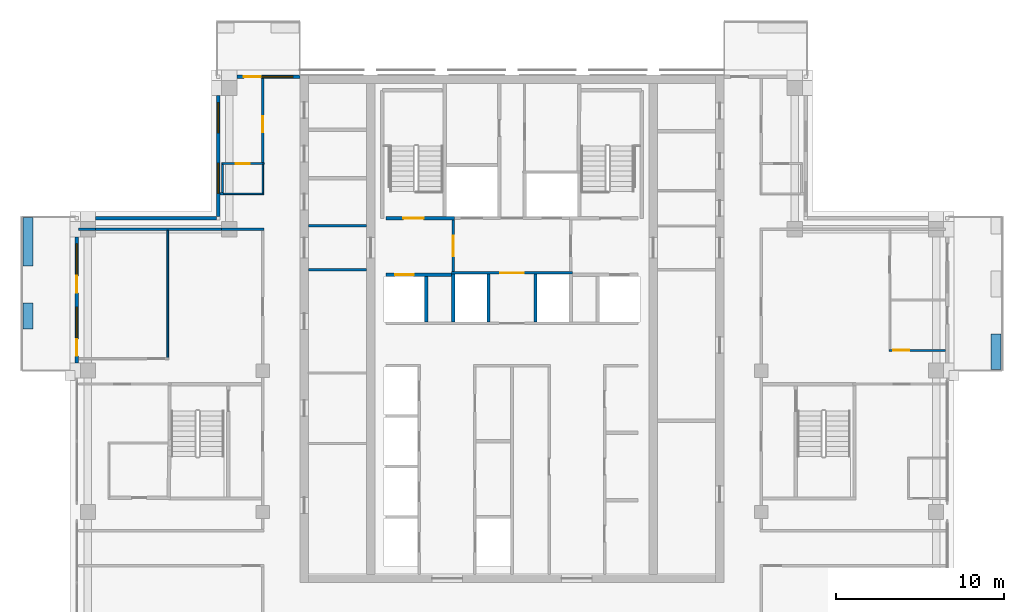
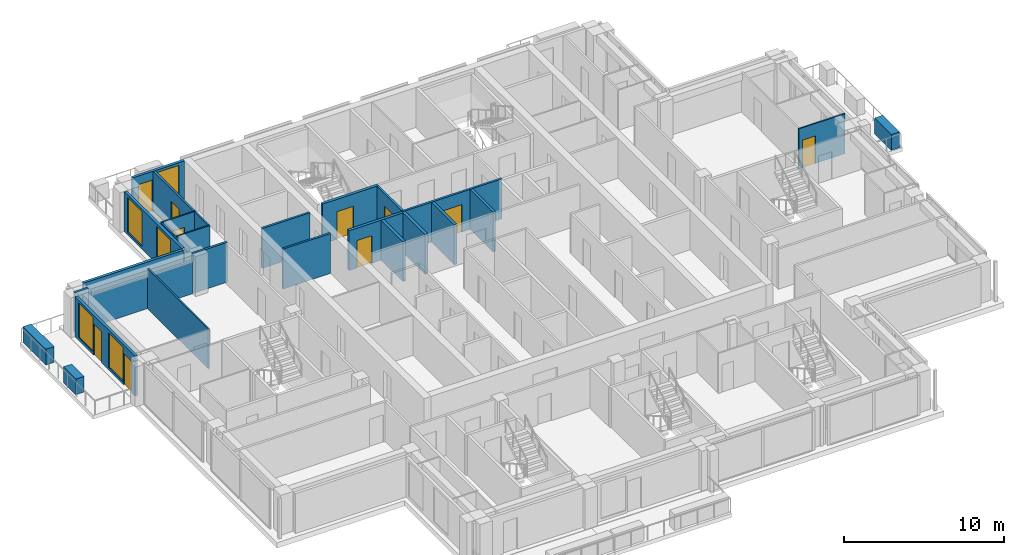
# One storey, part 10 of 15: 28 walls, 10 doors, 5 windows, 15 openings.
"""IFC4 building model written with IfcOpenShell, lengths in metres."""

from ifc_helpers import new_model, si_unit, direction, frame, frame_2d, origin, place, context, subcontext, project, spatial, rectangle, extrude, material, layer, layer_set, type_object, element, fill, save


model = new_model("IFC4")

# Units and contexts
model_context = context("Model", 3, precision=1e-05, world=origin(), true_north=direction((0.0, 1.0)))
body_context = subcontext(model_context, "Body", "Model", "MODEL_VIEW")
ifc_project = project(units=[si_unit("LENGTHUNIT", "METRE"), si_unit("AREAUNIT", "SQUARE_METRE"), si_unit("VOLUMEUNIT", "CUBIC_METRE"), si_unit("PLANEANGLEUNIT", "RADIAN"), si_unit("MASSUNIT", "GRAM", prefix="KILO")], contexts=[model_context])

# Site, building, storey
site_placement = place(None, origin())
site = spatial("IfcSite", under=ifc_project, at=site_placement, CompositionType="ELEMENT")
building_placement = place(site_placement, origin())
building = spatial("IfcBuilding", under=site, at=building_placement, Name="Vermilion Ogive Tower", CompositionType="ELEMENT")
storey_placement = place(building_placement, frame((0.0, 0.0, 237.25)))
storey = spatial("IfcBuildingStorey", under=building, at=storey_placement, Name="L62", CompositionType="ELEMENT", Elevation=237.25)

# Wall
ifc_material_1 = material(Name="Gypsum board partition on steel studs", Category="steel")
ifc_layer_1 = layer(ifc_material_1, 0.10009765625)
ifc_layer_set_1 = layer_set([ifc_layer_1], Name="Partition 100 bath")
wall_type_1 = type_object("IfcWallType", Name="Partition 100 bath", PredefinedType="PARTITIONING", material=ifc_layer_set_1)
wall_1_placement = place(storey_placement, frame((-17.25, 14.699951171875, 0.0), z_axis=(0.0, 0.0, 1.0), x_axis=(1.0, 0.0, 0.0)))
element("IfcWall", 1, at=wall_1_placement, inside=storey, type_object=wall_type_1, Name="L62-W-W035", PredefinedType="PARTITIONING", context=body_context, shape_type="SweptSolid", body=[
    extrude(rectangle(XDim=2.5, YDim=0.10009765625, at=frame_2d((1.25, 0.0))), origin(), (0.0, 0.0, 1.0), 3.050048828125),
])

# Wall, opening, door
wall_2_placement = place(storey_placement, frame((-17.25, 16.5, 0.0), z_axis=(0.0, 0.0, 1.0), x_axis=(1.0, 0.0, 0.0)))
wall_2 = element("IfcWall", 2, at=wall_2_placement, inside=storey, type_object=wall_type_1, Name="L62-W-W038", PredefinedType="PARTITIONING", context=body_context, shape_type="SweptSolid", body=[
    extrude(rectangle(XDim=2.52490234375, YDim=0.10009765625, at=frame_2d((1.262451171875, 0.0))), origin(), (0.0, 0.0, 1.0), 3.050048828125),
])
opening_1_placement = place(wall_2_placement, frame((0.824951171875, 0.0, 0.0)))
opening_1 = element("IfcOpeningElement", 3, at=opening_1_placement, cuts=wall_2, Name="Opening D5G2009", PredefinedType="OPENING", context=body_context, shape_type="SweptSolid", body=[
    extrude(rectangle(XDim=0.85009765625, YDim=2.10009765625, at=frame_2d((0.425048828125, 1.050048828125))), frame((0.0, 0.06005859375, 0.0), z_axis=(0.0, -1.0, 0.0), x_axis=(1.0, 0.0, 0.0)), (0.0, 0.0, 1.0), 0.1201171875),
])
ifc_material_2 = material(Name="Timber door leaf", Category="wood")
door_type_1 = type_object("IfcDoorType", Name="Bath door 850 x 2100 FD30", OperationType="SINGLE_SWING_LEFT", PredefinedType="DOOR", material=ifc_material_2)
door_1_placement = place(opening_1_placement, origin())
door_1 = element("IfcDoor", 4, at=door_1_placement, inside=storey, type_object=door_type_1, Name="L62-D-D009", OperationType="SINGLE_SWING_RIGHT", OverallHeight=2.10009765625, OverallWidth=0.85009765625, PredefinedType="DOOR", context=body_context, shape_type="SweptSolid", body=[
    extrude(rectangle(XDim=0.85009765625, YDim=2.10009765625, at=frame_2d((0.425048828125, 1.050048828125))), frame((0.0, 0.02490234375, 0.0), z_axis=(0.0, -1.0, 0.0), x_axis=(1.0, 0.0, 0.0)), (0.0, 0.0, 1.0), 0.050048828125),
])
fill(opening_1, door_1)

# Walls
wall_3_placement = place(storey_placement, frame((-17.199951171875, 14.77490234375, 0.0), z_axis=(0.0, 0.0, 1.0), x_axis=(0.0, 1.0, 0.0)))
element("IfcWall", 5, at=wall_3_placement, inside=storey, type_object=wall_type_1, Name="L62-W-W044", PredefinedType="PARTITIONING", context=body_context, shape_type="SweptSolid", body=[
    extrude(rectangle(XDim=1.675048828125, YDim=0.10009765625, at=frame_2d((0.83740234375, 0.0))), origin(), (0.0, 0.0, 1.0), 3.050048828125),
])
wall_4_placement = place(storey_placement, frame((-14.800048828125, 14.75, 0.0), z_axis=(0.0, 0.0, 1.0), x_axis=(0.0, 1.0, 0.0)))
element("IfcWall", 6, at=wall_4_placement, inside=storey, type_object=wall_type_1, Name="L62-W-W050", PredefinedType="PARTITIONING", context=body_context, shape_type="SweptSolid", body=[
    extrude(rectangle(XDim=1.699951171875, YDim=0.10009765625, at=frame_2d((0.85009765625, 0.0))), origin(), (0.0, 0.0, 1.0), 3.050048828125),
])

# Wall, opening, door
ifc_material_3 = material(Name="Gypsum board partition on steel studs", Category="steel")
ifc_layer_2 = layer(ifc_material_3, 0.10009765625)
ifc_layer_set_2 = layer_set([ifc_layer_2], Name="Partition 100 inner")
wall_type_2 = type_object("IfcWallType", Name="Partition 100 inner", PredefinedType="PARTITIONING", material=ifc_layer_set_2)
wall_5_placement = place(storey_placement, frame((22.39990234375, 5.39990234375, 0.0), z_axis=(0.0, 0.0, 1.0), x_axis=(1.0, 0.0, 0.0)))
wall_5 = element("IfcWall", 7, at=wall_5_placement, inside=storey, type_object=wall_type_2, Name="L62-W-W030", PredefinedType="PARTITIONING", context=body_context, shape_type="SweptSolid", body=[
    extrude(rectangle(XDim=3.35009765625, YDim=0.10009765625, at=frame_2d((1.675048828125, 0.0))), origin(), (0.0, 0.0, 1.0), 3.050048828125),
])
opening_2_placement = place(wall_5_placement, frame((0.25, 0.0, 0.0)))
opening_2 = element("IfcOpeningElement", 8, at=opening_2_placement, cuts=wall_5, Name="Opening D5G2016", PredefinedType="OPENING", context=body_context, shape_type="SweptSolid", body=[
    extrude(rectangle(XDim=0.949951171875, YDim=2.10009765625, at=frame_2d((0.47509765625, 1.050048828125))), frame((0.0, 0.06005859375, 0.0), z_axis=(0.0, -1.0, 0.0), x_axis=(1.0, 0.0, 0.0)), (0.0, 0.0, 1.0), 0.1201171875),
])
ifc_material_4 = material(Name="Timber door leaf", Category="wood")
door_type_2 = type_object("IfcDoorType", Name="Inner door 950 x 2100 FD30", OperationType="SINGLE_SWING_LEFT", PredefinedType="DOOR", material=ifc_material_4)
door_2_placement = place(opening_2_placement, origin())
door_2 = element("IfcDoor", 9, at=door_2_placement, inside=storey, type_object=door_type_2, Name="L62-D-D016", OperationType="SINGLE_SWING_LEFT", OverallHeight=2.10009765625, OverallWidth=0.949951171875, PredefinedType="DOOR", context=body_context, shape_type="SweptSolid", body=[
    extrude(rectangle(XDim=0.949951171875, YDim=2.10009765625, at=frame_2d((0.47509765625, 1.050048828125))), frame((0.0, 0.02490234375, 0.0), z_axis=(0.0, -1.0, 0.0), x_axis=(1.0, 0.0, 0.0)), (0.0, 0.0, 1.0), 0.050048828125),
])
fill(opening_2, door_2)

# Walls
wall_6_placement = place(storey_placement, frame((-20.449951171875, 4.949951171875, 0.0), z_axis=(0.0, 0.0, 1.0), x_axis=(0.0, 1.0, 0.0)))
element("IfcWall", 10, at=wall_6_placement, inside=storey, type_object=wall_type_2, Name="L62-W-W041", PredefinedType="PARTITIONING", context=body_context, shape_type="SweptSolid", body=[
    extrude(rectangle(XDim=7.574951171875, YDim=0.10009765625, at=frame_2d((3.78759765625, 0.0))), origin(), (0.0, 0.0, 1.0), 3.050048828125),
])
ifc_material_5 = material(Name="Gypsum board partition on steel studs", Category="steel")
ifc_layer_3 = layer(ifc_material_5, 0.14990234375)
ifc_layer_set_3 = layer_set([ifc_layer_3], Name="Partition 150 corridor")
wall_type_3 = type_object("IfcWallType", Name="Partition 150 corridor", PredefinedType="PARTITIONING", material=ifc_layer_set_3)
wall_7_placement = place(storey_placement, frame((-25.75, 12.60009765625, 0.0), z_axis=(0.0, 0.0, 1.0), x_axis=(1.0, 0.0, 0.0)))
element("IfcWall", 11, at=wall_7_placement, inside=storey, type_object=wall_type_3, Name="L62-W-W032", PredefinedType="PARTITIONING", context=body_context, shape_type="SweptSolid", body=[
    extrude(rectangle(XDim=1.0, YDim=0.14990234375, at=frame_2d((0.5, 0.0))), origin(), (0.0, 0.0, 1.0), 3.050048828125),
])
wall_8_placement = place(storey_placement, frame((-17.35009765625, 14.699951171875, 0.0), z_axis=(0.0, 0.0, 1.0), x_axis=(1.0, 0.0, 0.0)))
element("IfcWall", 12, at=wall_8_placement, inside=storey, type_object=wall_type_3, Name="L62-W-W034", PredefinedType="PARTITIONING", context=body_context, shape_type="SweptSolid", body=[
    extrude(rectangle(XDim=0.2001953125, YDim=0.14990234375, at=frame_2d((0.10009765625, 0.0))), origin(), (0.0, 0.0, 1.0), 3.050048828125),
])

# Wall, opening, door
wall_9_placement = place(storey_placement, frame((-14.800048828125, 16.550048828125, 0.0), z_axis=(0.0, 0.0, 1.0), x_axis=(0.0, 1.0, 0.0)))
wall_9 = element("IfcWall", 13, at=wall_9_placement, inside=storey, type_object=wall_type_3, Name="L62-W-W051", PredefinedType="PARTITIONING", context=body_context, shape_type="SweptSolid", body=[
    extrude(rectangle(XDim=5.0, YDim=0.14990234375, at=frame_2d((2.5, 0.0))), origin(), (0.0, 0.0, 1.0), 3.050048828125),
])
opening_3_placement = place(wall_9_placement, frame((1.800048828125, 0.0, 0.0)))
opening_3 = element("IfcOpeningElement", 14, at=opening_3_placement, cuts=wall_9, Name="Opening D5G2008", PredefinedType="OPENING", context=body_context, shape_type="SweptSolid", body=[
    extrude(rectangle(XDim=0.949951171875, YDim=2.10009765625, at=frame_2d((0.47509765625, 1.050048828125))), frame((0.0, 0.0849609375, 0.0), z_axis=(0.0, -1.0, 0.0), x_axis=(1.0, 0.0, 0.0)), (0.0, 0.0, 1.0), 0.169921875),
])
ifc_material_6 = material(Name="Timber door leaf", Category="wood")
door_type_3 = type_object("IfcDoorType", Name="Unit door 950 x 2100 FD30S", OperationType="SINGLE_SWING_LEFT", PredefinedType="DOOR", material=ifc_material_6)
door_3_placement = place(opening_3_placement, origin())
door_3 = element("IfcDoor", 15, at=door_3_placement, inside=storey, type_object=door_type_3, Name="L62-D-D008", OperationType="SINGLE_SWING_RIGHT", OverallHeight=2.10009765625, OverallWidth=0.949951171875, PredefinedType="DOOR", context=body_context, shape_type="SweptSolid", body=[
    extrude(rectangle(XDim=0.949951171875, YDim=2.10009765625, at=frame_2d((0.47509765625, 1.050048828125))), frame((0.0, 0.02490234375, 0.0), z_axis=(0.0, -1.0, 0.0), x_axis=(1.0, 0.0, 0.0)), (0.0, 0.0, 1.0), 0.050048828125),
])
fill(opening_3, door_3)

wall_10_placement = place(storey_placement, frame((-3.60009765625, 10.0, 0.0), z_axis=(0.0, 0.0, 1.0), x_axis=(1.0, 0.0, 0.0)))
wall_10 = element("IfcWall", 16, at=wall_10_placement, inside=storey, type_object=wall_type_3, Name="L62-CK-W-W014", PredefinedType="PARTITIONING", context=body_context, shape_type="SweptSolid", body=[
    extrude(rectangle(XDim=7.2001953125, YDim=0.14990234375, at=frame_2d((3.60009765625, 0.0))), origin(), (0.0, 0.0, 1.0), 3.050048828125),
])
opening_4_placement = place(wall_10_placement, frame((2.900146484375, 0.0, 0.0)))
opening_4 = element("IfcOpeningElement", 17, at=opening_4_placement, cuts=wall_10, Name="Opening DAA564", PredefinedType="OPENING", context=body_context, shape_type="SweptSolid", body=[
    extrude(rectangle(XDim=1.39990234375, YDim=2.10009765625, at=frame_2d((0.699951171875, 1.050048828125))), frame((0.0, 0.0849609375, 0.0), z_axis=(0.0, -1.0, 0.0), x_axis=(1.0, 0.0, 0.0)), (0.0, 0.0, 1.0), 0.169921875),
])
ifc_material_7 = material(Name="Timber door leaf", Category="wood")
door_type_4 = type_object("IfcDoorType", Name="Lobby door 1400 x 2100 FD60S", OperationType="SINGLE_SWING_LEFT", PredefinedType="DOOR", material=ifc_material_7)
door_4_placement = place(opening_4_placement, origin())
door_4 = element("IfcDoor", 18, at=door_4_placement, inside=storey, type_object=door_type_4, Name="L62-CK-D-D017", OperationType="SINGLE_SWING_RIGHT", OverallHeight=2.10009765625, OverallWidth=1.39990234375, PredefinedType="DOOR", context=body_context, shape_type="SweptSolid", body=[
    extrude(rectangle(XDim=1.39990234375, YDim=2.10009765625, at=frame_2d((0.699951171875, 1.050048828125))), frame((0.0, 0.02490234375, 0.0), z_axis=(0.0, -1.0, 0.0), x_axis=(1.0, 0.0, 0.0)), (0.0, 0.0, 1.0), 0.050048828125),
])
fill(opening_4, door_4)

wall_11_placement = place(storey_placement, frame((-3.5, 10.074951171875, 0.0), z_axis=(0.0, 0.0, 1.0), x_axis=(0.0, 1.0, 0.0)))
wall_11 = element("IfcWall", 19, at=wall_11_placement, inside=storey, type_object=wall_type_3, Name="L62-CK-W-W024", PredefinedType="PARTITIONING", context=body_context, shape_type="SweptSolid", body=[
    extrude(rectangle(XDim=3.074951171875, YDim=0.14990234375, at=frame_2d((1.53759765625, 0.0))), origin(), (0.0, 0.0, 1.0), 3.050048828125),
])
opening_5_placement = place(wall_11_placement, frame((0.925048828125, 0.0, 0.0)))
opening_5 = element("IfcOpeningElement", 20, at=opening_5_placement, cuts=wall_11, Name="Opening DAA561", PredefinedType="OPENING", context=body_context, shape_type="SweptSolid", body=[
    extrude(rectangle(XDim=1.199951171875, YDim=2.10009765625, at=frame_2d((0.60009765625, 1.050048828125))), frame((0.0, 0.0849609375, 0.0), z_axis=(0.0, -1.0, 0.0), x_axis=(1.0, 0.0, 0.0)), (0.0, 0.0, 1.0), 0.169921875),
])
ifc_material_8 = material(Name="Timber door leaf", Category="wood")
door_type_5 = type_object("IfcDoorType", Name="Lobby door 1200 x 2100 FD60S", OperationType="SINGLE_SWING_LEFT", PredefinedType="DOOR", material=ifc_material_8)
door_5_placement = place(opening_5_placement, origin())
door_5 = element("IfcDoor", 21, at=door_5_placement, inside=storey, type_object=door_type_5, Name="L62-CK-D-D023", OperationType="SINGLE_SWING_RIGHT", OverallHeight=2.10009765625, OverallWidth=1.199951171875, PredefinedType="DOOR", context=body_context, shape_type="SweptSolid", body=[
    extrude(rectangle(XDim=1.199951171875, YDim=2.10009765625, at=frame_2d((0.60009765625, 1.050048828125))), frame((0.0, 0.02490234375, 0.0), z_axis=(0.0, -1.0, 0.0), x_axis=(1.0, 0.0, 0.0)), (0.0, 0.0, 1.0), 0.050048828125),
])
fill(opening_5, door_5)

# Walls
for number, where, z_axis, x_axis, name in (
    (22, (-12.09912109375, 10.199951171875, 0.0), (0.0, 0.0, 1.0), (1.0, 0.0, 0.0), "L62-CKW-W-W003"),
    (23, (-12.09912109375, 12.800048828125, 0.0), (0.0, 0.0, 1.0), (1.0, 0.0, 0.0), "L62-CKW-W-W004"),
):
    element("IfcWall", number, at=place(storey_placement, frame(where, z_axis=z_axis, x_axis=x_axis)), inside=storey, type_object=wall_type_3, Name=name, PredefinedType="PARTITIONING", context=body_context, shape_type="SweptSolid", body=[
        extrude(rectangle(XDim=3.4482421875, YDim=0.14990234375, at=frame_2d((1.72412109375, 0.0))), origin(), (0.0, 0.0, 1.0), 3.050048828125),
    ])
wall_12_placement = place(storey_placement, frame((-24.75, 12.60009765625, 0.0), z_axis=(0.0, 0.0, 1.0), x_axis=(1.0, 0.0, 0.0)))
element("IfcWall", 24, at=wall_12_placement, inside=storey, type_object=wall_type_3, Name="L62-W-W032-h1", PredefinedType="PARTITIONING", context=body_context, shape_type="SweptSolid", body=[
    extrude(rectangle(XDim=7.5, YDim=0.14990234375, at=frame_2d((3.75, 0.0))), origin(), (0.0, 0.0, 1.0), 2.5),
])
wall_13_placement = place(storey_placement, frame((-17.25, 12.60009765625, 0.0), z_axis=(0.0, 0.0, 1.0), x_axis=(1.0, 0.0, 0.0)))
element("IfcWall", 25, at=wall_13_placement, inside=storey, type_object=wall_type_3, Name="L62-W-W032-h2", PredefinedType="PARTITIONING", context=body_context, shape_type="SweptSolid", body=[
    extrude(rectangle(XDim=2.52490234375, YDim=0.14990234375, at=frame_2d((1.262451171875, 0.0))), origin(), (0.0, 0.0, 1.0), 3.050048828125),
])

# Wall, opening, door
ifc_material_9 = material(Name="Gypsum board partition on steel studs", Category="steel")
ifc_layer_4 = layer(ifc_material_9, 0.199951171875)
ifc_layer_set_4 = layer_set([ifc_layer_4], Name="Partition 200 party")
wall_type_4 = type_object("IfcWallType", Name="Partition 200 party", PredefinedType="PARTITIONING", material=ifc_layer_set_4)
wall_14_placement = place(storey_placement, frame((-7.5, 9.89990234375, 0.0), z_axis=(0.0, 0.0, 1.0), x_axis=(1.0, 0.0, 0.0)))
wall_14 = element("IfcWall", 26, at=wall_14_placement, inside=storey, type_object=wall_type_4, Name="L62-CK-W-W012", PredefinedType="PARTITIONING", context=body_context, shape_type="SweptSolid", body=[
    extrude(rectangle(XDim=3.89990234375, YDim=0.199951171875, at=frame_2d((1.949951171875, 0.0))), origin(), (0.0, 0.0, 1.0), 3.050048828125),
])
opening_6_placement = place(wall_14_placement, frame((0.550048828125, 0.0, 0.0)))
opening_6 = element("IfcOpeningElement", 27, at=opening_6_placement, cuts=wall_14, Name="Opening DAA581", PredefinedType="OPENING", context=body_context, shape_type="SweptSolid", body=[
    extrude(rectangle(XDim=1.10009765625, YDim=2.10009765625, at=frame_2d((0.550048828125, 1.050048828125))), frame((0.0, 0.10986328125, 0.0), z_axis=(0.0, -1.0, 0.0), x_axis=(1.0, 0.0, 0.0)), (0.0, 0.0, 1.0), 0.219970703125),
])
ifc_material_10 = material(Name="Stainless steel", Category="steel")
door_type_6 = type_object("IfcDoorType", Name="Lift landing door 1100 x 2100", OperationType="SLIDING_TO_LEFT", PredefinedType="DOOR", material=ifc_material_10)
door_6_placement = place(opening_6_placement, origin())
door_6 = element("IfcDoor", 28, at=door_6_placement, inside=storey, type_object=door_type_6, Name="L62-CK-D-D013", OperationType="SLIDING_TO_RIGHT", OverallHeight=2.10009765625, OverallWidth=1.10009765625, PredefinedType="DOOR", context=body_context, shape_type="SweptSolid", body=[
    extrude(rectangle(XDim=1.10009765625, YDim=2.10009765625, at=frame_2d((0.550048828125, 1.050048828125))), frame((0.0, 0.02490234375, 0.0), z_axis=(0.0, -1.0, 0.0), x_axis=(1.0, 0.0, 0.0)), (0.0, 0.0, 1.0), 0.050048828125),
])
fill(opening_6, door_6)

# Walls
wall_15_placement = place(storey_placement, frame((-5.10009765625, 7.074951171875, 0.0), z_axis=(0.0, 0.0, 1.0), x_axis=(0.0, 1.0, 0.0)))
element("IfcWall", 29, at=wall_15_placement, inside=storey, type_object=wall_type_4, Name="L62-CK-W-W021", PredefinedType="PARTITIONING", context=body_context, shape_type="SweptSolid", body=[
    extrude(rectangle(XDim=2.72509765625, YDim=0.199951171875, at=frame_2d((1.362548828125, 0.0))), origin(), (0.0, 0.0, 1.0), 3.050048828125),
])
for number, where, z_axis, x_axis, name in (
    (30, (-3.5, 7.074951171875, 0.0), (0.0, 0.0, 1.0), (0.0, 1.0, 0.0), "L62-CK-W-W023"),
    (31, (-1.39990234375, 7.074951171875, 0.0), (0.0, 0.0, 1.0), (0.0, 1.0, 0.0), "L62-CK-W-W026"),
    (32, (1.39990234375, 7.074951171875, 0.0), (0.0, 0.0, 1.0), (0.0, 1.0, 0.0), "L62-CK-W-W031"),
):
    element("IfcWall", number, at=place(storey_placement, frame(where, z_axis=z_axis, x_axis=x_axis)), inside=storey, type_object=wall_type_4, Name=name, PredefinedType="PARTITIONING", context=body_context, shape_type="SweptSolid", body=[
        extrude(rectangle(XDim=2.85009765625, YDim=0.199951171875, at=frame_2d((1.425048828125, 0.0))), origin(), (0.0, 0.0, 1.0), 3.050048828125),
    ])

# Wall, opening, door
ifc_material_11 = material(Name="Concrete B60", Category="concrete")
ifc_layer_5 = layer(ifc_material_11, 0.199951171875)
ifc_layer_set_5 = layer_set([ifc_layer_5], Name="Stair shaft wall 200 Concrete B60")
wall_type_5 = type_object("IfcWallType", Name="Stair shaft wall 200 Concrete B60", PredefinedType="SOLIDWALL", material=ifc_layer_set_5)
wall_16_placement = place(storey_placement, frame((-7.5, 13.25, 0.0), z_axis=(0.0, 0.0, 1.0), x_axis=(1.0, 0.0, 0.0)))
wall_16 = element("IfcWall", 33, at=wall_16_placement, inside=storey, type_object=wall_type_5, Name="L62-CK-W-W015", PredefinedType="SOLIDWALL", context=body_context, shape_type="SweptSolid", body=[
    extrude(rectangle(XDim=4.074951171875, YDim=0.199951171875, at=frame_2d((2.03759765625, 0.0))), origin(), (0.0, 0.0, 1.0), 3.050048828125),
])
opening_7_placement = place(wall_16_placement, frame((1.050048828125, 0.0, 0.0)))
opening_7 = element("IfcOpeningElement", 34, at=opening_7_placement, cuts=wall_16, Name="Opening DAA574", PredefinedType="OPENING", context=body_context, shape_type="SweptSolid", body=[
    extrude(rectangle(XDim=1.199951171875, YDim=2.10009765625, at=frame_2d((0.60009765625, 1.050048828125))), frame((0.0, 0.10986328125, 0.0), z_axis=(0.0, -1.0, 0.0), x_axis=(1.0, 0.0, 0.0)), (0.0, 0.0, 1.0), 0.219970703125),
])
ifc_material_12 = material(Name="Timber door leaf", Category="wood")
door_type_7 = type_object("IfcDoorType", Name="Stair door 1200 x 2100 FD60S", OperationType="SINGLE_SWING_LEFT", PredefinedType="DOOR", material=ifc_material_12)
door_7_placement = place(opening_7_placement, origin())
door_7 = element("IfcDoor", 35, at=door_7_placement, inside=storey, type_object=door_type_7, Name="L62-CK-D-D012", OperationType="SINGLE_SWING_LEFT", OverallHeight=2.10009765625, OverallWidth=1.199951171875, PredefinedType="DOOR", context=body_context, shape_type="SweptSolid", body=[
    extrude(rectangle(XDim=1.199951171875, YDim=2.10009765625, at=frame_2d((0.60009765625, 1.050048828125))), frame((0.0, 0.02490234375, 0.0), z_axis=(0.0, -1.0, 0.0), x_axis=(1.0, 0.0, 0.0)), (0.0, 0.0, 1.0), 0.050048828125),
])
fill(opening_7, door_7)

# Walls
ifc_material_13 = material(Name="Concrete B40", Category="concrete")
ifc_layer_6 = layer(ifc_material_13, 0.60009765625)
ifc_layer_set_6 = layer_set([ifc_layer_6], Name="Structural planter")
wall_type_6 = type_object("IfcWallType", Name="Structural planter", PredefinedType="USERDEFINED", material=ifc_layer_set_6)
wall_17_placement = place(storey_placement, frame((28.75, 4.260009765625, -0.0400390625), z_axis=(0.0, 0.0, 1.0), x_axis=(0.0, 1.0, 0.0)))
element("IfcWall", 36, at=wall_17_placement, inside=storey, type_object=wall_type_6, Name="Planter E03A1", ObjectType="PLANTER", PredefinedType="USERDEFINED", context=body_context, shape_type="SweptSolid", body=[
    extrude(rectangle(XDim=2.114990234375, YDim=0.60009765625, at=frame_2d((1.0576171875, 0.0))), origin(), (0.0, 0.0, 1.0), 1.199951171875),
])
wall_18_placement = place(storey_placement, frame((-28.75, 13.2900390625, -0.0400390625), z_axis=(0.0, 0.0, 1.0), x_axis=(0.0, -1.0, 0.0)))
element("IfcWall", 37, at=wall_18_placement, inside=storey, type_object=wall_type_6, Name="Planter W01A1", ObjectType="PLANTER", PredefinedType="USERDEFINED", context=body_context, shape_type="SweptSolid", body=[
    extrude(rectangle(XDim=2.864990234375, YDim=0.60009765625, at=frame_2d((1.4326171875, 0.0))), origin(), (0.0, 0.0, 1.0), 1.199951171875),
])
wall_19_placement = place(storey_placement, frame((-28.75, 8.22509765625, -0.0400390625), z_axis=(0.0, 0.0, 1.0), x_axis=(0.0, -1.0, 0.0)))
element("IfcWall", 38, at=wall_19_placement, inside=storey, type_object=wall_type_6, Name="Planter W01A2", ObjectType="PLANTER", PredefinedType="USERDEFINED", context=body_context, shape_type="SweptSolid", body=[
    extrude(rectangle(XDim=1.550048828125, YDim=0.60009765625, at=frame_2d((0.77490234375, 0.0))), origin(), (0.0, 0.0, 1.0), 1.199951171875),
])

# Wall, openings, door, window
ifc_material_14 = material(Name="Aluminium window wall framing", Category="aluminium")
ifc_layer_7 = layer(ifc_material_14, 0.199951171875)
ifc_layer_set_7 = layer_set([ifc_layer_7], Name="Window wall")
wall_type_7 = type_object("IfcWallType", Name="Window wall", PredefinedType="STANDARD", material=ifc_layer_set_7)
wall_20_placement = place(storey_placement, frame((-12.60009765625, 21.64990234375, 0.0), z_axis=(0.0, 0.0, 1.0), x_axis=(-1.0, 0.0, 0.0)))
wall_20 = element("IfcWall", 39, at=wall_20_placement, inside=storey, type_object=wall_type_7, Name="Window wall N21", PredefinedType="STANDARD", context=body_context, shape_type="SweptSolid", body=[
    extrude(rectangle(XDim=3.75, YDim=0.199951171875, at=frame_2d((1.875, 0.0))), origin(), (0.0, 0.0, 1.0), 3.050048828125),
])
opening_8_placement = place(wall_20_placement, frame((0.425048828125, 0.0, 0.199951171875)))
opening_8 = element("IfcOpeningElement", 40, at=opening_8_placement, cuts=wall_20, Name="Opening W1-N296", PredefinedType="OPENING", context=body_context, shape_type="SweptSolid", body=[
    extrude(rectangle(XDim=1.800048828125, YDim=2.64990234375, at=frame_2d((0.89990234375, 1.324951171875))), frame((0.0, 0.10986328125, 0.0), z_axis=(0.0, -1.0, 0.0), x_axis=(1.0, 0.0, 0.0)), (0.0, 0.0, 1.0), 0.219970703125),
])
opening_9_placement = place(wall_20_placement, frame((2.324951171875, 0.0, 0.0)))
opening_9 = element("IfcOpeningElement", 41, at=opening_9_placement, cuts=wall_20, Name="Opening D1-N296", PredefinedType="OPENING", context=body_context, shape_type="SweptSolid", body=[
    extrude(rectangle(XDim=1.0, YDim=2.39990234375, at=frame_2d((0.5, 1.199951171875))), frame((0.0, 0.10986328125, 0.0), z_axis=(0.0, -1.0, 0.0), x_axis=(1.0, 0.0, 0.0)), (0.0, 0.0, 1.0), 0.219970703125),
])
ifc_material_15 = material(Name="Aluminium framed glazed door", Category="aluminium")
door_type_8 = type_object("IfcDoorType", Name="Balcony door D1", OperationType="SINGLE_SWING_LEFT", PredefinedType="DOOR", material=ifc_material_15)
door_8_placement = place(opening_9_placement, origin())
door_8 = element("IfcDoor", 42, at=door_8_placement, inside=storey, type_object=door_type_8, Name="Balcony door N296", OperationType="SINGLE_SWING_LEFT", OverallHeight=2.39990234375, OverallWidth=1.0, PredefinedType="DOOR", context=body_context, shape_type="SweptSolid", body=[
    extrude(rectangle(XDim=1.0, YDim=2.39990234375, at=frame_2d((0.5, 1.199951171875))), frame((0.0, 0.02490234375, 0.0), z_axis=(0.0, -1.0, 0.0), x_axis=(1.0, 0.0, 0.0)), (0.0, 0.0, 1.0), 0.050048828125),
])
fill(opening_9, door_8)
ifc_material_16 = material(Name="Aluminium framed double glazing", Category="aluminium")
window_type = type_object("IfcWindowType", Name="Guest window W1", PartitioningType="SINGLE_PANEL", PredefinedType="WINDOW", material=ifc_material_16)
window_1_placement = place(opening_8_placement, origin())
window_1 = element("IfcWindow", 43, at=window_1_placement, inside=storey, type_object=window_type, Name="Window N296", OverallHeight=2.64990234375, OverallWidth=1.800048828125, PartitioningType="SINGLE_PANEL", PredefinedType="WINDOW", context=body_context, shape_type="SweptSolid", body=[
    extrude(rectangle(XDim=1.800048828125, YDim=2.64990234375, at=frame_2d((0.89990234375, 1.324951171875))), frame((0.0, 0.030029296875, 0.0), z_axis=(0.0, -1.0, 0.0), x_axis=(1.0, 0.0, 0.0)), (0.0, 0.0, 1.0), 0.06005859375),
])
fill(opening_8, window_1)

# Wall, openings, windows
wall_21_placement = place(storey_placement, frame((-17.449951171875, 20.550048828125, 0.0), z_axis=(0.0, 0.0, 1.0), x_axis=(0.0, -1.0, 0.0)))
wall_21 = element("IfcWall", 44, at=wall_21_placement, inside=storey, type_object=wall_type_7, Name="Window wall X51", PredefinedType="STANDARD", context=body_context, shape_type="SweptSolid", body=[
    extrude(rectangle(XDim=7.199951171875, YDim=0.199951171875, at=frame_2d((3.60009765625, 0.0))), origin(), (0.0, 0.0, 1.0), 3.050048828125),
])
opening_10_placement = place(wall_21_placement, frame((4.02490234375, 0.0, 0.199951171875)))
opening_10 = element("IfcOpeningElement", 45, at=opening_10_placement, cuts=wall_21, Name="Opening W1-X503", PredefinedType="OPENING", context=body_context, shape_type="SweptSolid", body=[
    extrude(rectangle(XDim=1.800048828125, YDim=2.64990234375, at=frame_2d((0.89990234375, 1.324951171875))), frame((0.0, 0.10986328125, 0.0), z_axis=(0.0, -1.0, 0.0), x_axis=(1.0, 0.0, 0.0)), (0.0, 0.0, 1.0), 0.219970703125),
])
opening_11_placement = place(wall_21_placement, frame((0.425048828125, 0.0, 0.199951171875)))
opening_11 = element("IfcOpeningElement", 46, at=opening_11_placement, cuts=wall_21, Name="Opening W1-X504", PredefinedType="OPENING", context=body_context, shape_type="SweptSolid", body=[
    extrude(rectangle(XDim=1.800048828125, YDim=2.64990234375, at=frame_2d((0.89990234375, 1.324951171875))), frame((0.0, 0.10986328125, 0.0), z_axis=(0.0, -1.0, 0.0), x_axis=(1.0, 0.0, 0.0)), (0.0, 0.0, 1.0), 0.219970703125),
])
window_2_placement = place(opening_10_placement, origin())
window_2 = element("IfcWindow", 47, at=window_2_placement, inside=storey, type_object=window_type, Name="Window X503", OverallHeight=2.64990234375, OverallWidth=1.800048828125, PartitioningType="SINGLE_PANEL", PredefinedType="WINDOW", context=body_context, shape_type="SweptSolid", body=[
    extrude(rectangle(XDim=1.800048828125, YDim=2.64990234375, at=frame_2d((0.89990234375, 1.324951171875))), frame((0.0, 0.030029296875, 0.0), z_axis=(0.0, -1.0, 0.0), x_axis=(1.0, 0.0, 0.0)), (0.0, 0.0, 1.0), 0.06005859375),
])
fill(opening_10, window_2)
window_3_placement = place(opening_11_placement, origin())
window_3 = element("IfcWindow", 48, at=window_3_placement, inside=storey, type_object=window_type, Name="Window X504", OverallHeight=2.64990234375, OverallWidth=1.800048828125, PartitioningType="SINGLE_PANEL", PredefinedType="WINDOW", context=body_context, shape_type="SweptSolid", body=[
    extrude(rectangle(XDim=1.800048828125, YDim=2.64990234375, at=frame_2d((0.89990234375, 1.324951171875))), frame((0.0, 0.030029296875, 0.0), z_axis=(0.0, -1.0, 0.0), x_axis=(1.0, 0.0, 0.0)), (0.0, 0.0, 1.0), 0.06005859375),
])
fill(opening_11, window_3)

# Wall
wall_22_placement = place(storey_placement, frame((-17.550048828125, 13.25, 0.0), z_axis=(0.0, 0.0, 1.0), x_axis=(-1.0, 0.0, 0.0)))
element("IfcWall", 49, at=wall_22_placement, inside=storey, type_object=wall_type_7, Name="Window wall X61", PredefinedType="STANDARD", context=body_context, shape_type="SweptSolid", body=[
    extrude(rectangle(XDim=7.199951171875, YDim=0.199951171875, at=frame_2d((3.60009765625, 0.0))), origin(), (0.0, 0.0, 1.0), 3.050048828125),
])

# Wall, openings, doors, windows
wall_23_placement = place(storey_placement, frame((-25.85009765625, 12.14990234375, 0.0), z_axis=(0.0, 0.0, 1.0), x_axis=(0.0, -1.0, 0.0)))
wall_23 = element("IfcWall", 50, at=wall_23_placement, inside=storey, type_object=wall_type_7, Name="Window wall W1", PredefinedType="STANDARD", context=body_context, shape_type="SweptSolid", body=[
    extrude(rectangle(XDim=7.5, YDim=0.199951171875, at=frame_2d((3.75, 0.0))), origin(), (0.0, 0.0, 1.0), 3.050048828125),
])
opening_12_placement = place(wall_23_placement, frame((4.175048828125, 0.0, 0.199951171875)))
opening_12 = element("IfcOpeningElement", 51, at=opening_12_placement, cuts=wall_23, Name="Opening W1-W01", PredefinedType="OPENING", context=body_context, shape_type="SweptSolid", body=[
    extrude(rectangle(XDim=1.800048828125, YDim=2.64990234375, at=frame_2d((0.89990234375, 1.324951171875))), frame((0.0, 0.10986328125, 0.0), z_axis=(0.0, -1.0, 0.0), x_axis=(1.0, 0.0, 0.0)), (0.0, 0.0, 1.0), 0.219970703125),
])
opening_13_placement = place(wall_23_placement, frame((6.074951171875, 0.0, 0.0)))
opening_13 = element("IfcOpeningElement", 52, at=opening_13_placement, cuts=wall_23, Name="Opening D1-W01", PredefinedType="OPENING", context=body_context, shape_type="SweptSolid", body=[
    extrude(rectangle(XDim=1.0, YDim=2.39990234375, at=frame_2d((0.5, 1.199951171875))), frame((0.0, 0.10986328125, 0.0), z_axis=(0.0, -1.0, 0.0), x_axis=(1.0, 0.0, 0.0)), (0.0, 0.0, 1.0), 0.219970703125),
])
opening_14_placement = place(wall_23_placement, frame((0.425048828125, 0.0, 0.199951171875)))
opening_14 = element("IfcOpeningElement", 53, at=opening_14_placement, cuts=wall_23, Name="Opening W1-W02", PredefinedType="OPENING", context=body_context, shape_type="SweptSolid", body=[
    extrude(rectangle(XDim=1.800048828125, YDim=2.64990234375, at=frame_2d((0.89990234375, 1.324951171875))), frame((0.0, 0.10986328125, 0.0), z_axis=(0.0, -1.0, 0.0), x_axis=(1.0, 0.0, 0.0)), (0.0, 0.0, 1.0), 0.219970703125),
])
opening_15_placement = place(wall_23_placement, frame((2.324951171875, 0.0, 0.0)))
opening_15 = element("IfcOpeningElement", 54, at=opening_15_placement, cuts=wall_23, Name="Opening D1-W02", PredefinedType="OPENING", context=body_context, shape_type="SweptSolid", body=[
    extrude(rectangle(XDim=1.0, YDim=2.39990234375, at=frame_2d((0.5, 1.199951171875))), frame((0.0, 0.10986328125, 0.0), z_axis=(0.0, -1.0, 0.0), x_axis=(1.0, 0.0, 0.0)), (0.0, 0.0, 1.0), 0.219970703125),
])
door_9_placement = place(opening_13_placement, origin())
door_9 = element("IfcDoor", 55, at=door_9_placement, inside=storey, type_object=door_type_8, Name="Balcony door W01", OperationType="SINGLE_SWING_LEFT", OverallHeight=2.39990234375, OverallWidth=1.0, PredefinedType="DOOR", context=body_context, shape_type="SweptSolid", body=[
    extrude(rectangle(XDim=1.0, YDim=2.39990234375, at=frame_2d((0.5, 1.199951171875))), frame((0.0, 0.02490234375, 0.0), z_axis=(0.0, -1.0, 0.0), x_axis=(1.0, 0.0, 0.0)), (0.0, 0.0, 1.0), 0.050048828125),
])
fill(opening_13, door_9)
door_10_placement = place(opening_15_placement, origin())
door_10 = element("IfcDoor", 56, at=door_10_placement, inside=storey, type_object=door_type_8, Name="Balcony door W02", OperationType="SINGLE_SWING_LEFT", OverallHeight=2.39990234375, OverallWidth=1.0, PredefinedType="DOOR", context=body_context, shape_type="SweptSolid", body=[
    extrude(rectangle(XDim=1.0, YDim=2.39990234375, at=frame_2d((0.5, 1.199951171875))), frame((0.0, 0.02490234375, 0.0), z_axis=(0.0, -1.0, 0.0), x_axis=(1.0, 0.0, 0.0)), (0.0, 0.0, 1.0), 0.050048828125),
])
fill(opening_15, door_10)
window_4_placement = place(opening_12_placement, origin())
window_4 = element("IfcWindow", 57, at=window_4_placement, inside=storey, type_object=window_type, Name="Window W01", OverallHeight=2.64990234375, OverallWidth=1.800048828125, PartitioningType="SINGLE_PANEL", PredefinedType="WINDOW", context=body_context, shape_type="SweptSolid", body=[
    extrude(rectangle(XDim=1.800048828125, YDim=2.64990234375, at=frame_2d((0.89990234375, 1.324951171875))), frame((0.0, 0.030029296875, 0.0), z_axis=(0.0, -1.0, 0.0), x_axis=(1.0, 0.0, 0.0)), (0.0, 0.0, 1.0), 0.06005859375),
])
fill(opening_12, window_4)
window_5_placement = place(opening_14_placement, origin())
window_5 = element("IfcWindow", 58, at=window_5_placement, inside=storey, type_object=window_type, Name="Window W02", OverallHeight=2.64990234375, OverallWidth=1.800048828125, PartitioningType="SINGLE_PANEL", PredefinedType="WINDOW", context=body_context, shape_type="SweptSolid", body=[
    extrude(rectangle(XDim=1.800048828125, YDim=2.64990234375, at=frame_2d((0.89990234375, 1.324951171875))), frame((0.0, 0.030029296875, 0.0), z_axis=(0.0, -1.0, 0.0), x_axis=(1.0, 0.0, 0.0)), (0.0, 0.0, 1.0), 0.06005859375),
])
fill(opening_14, window_5)

save(model, "model.ifc")
